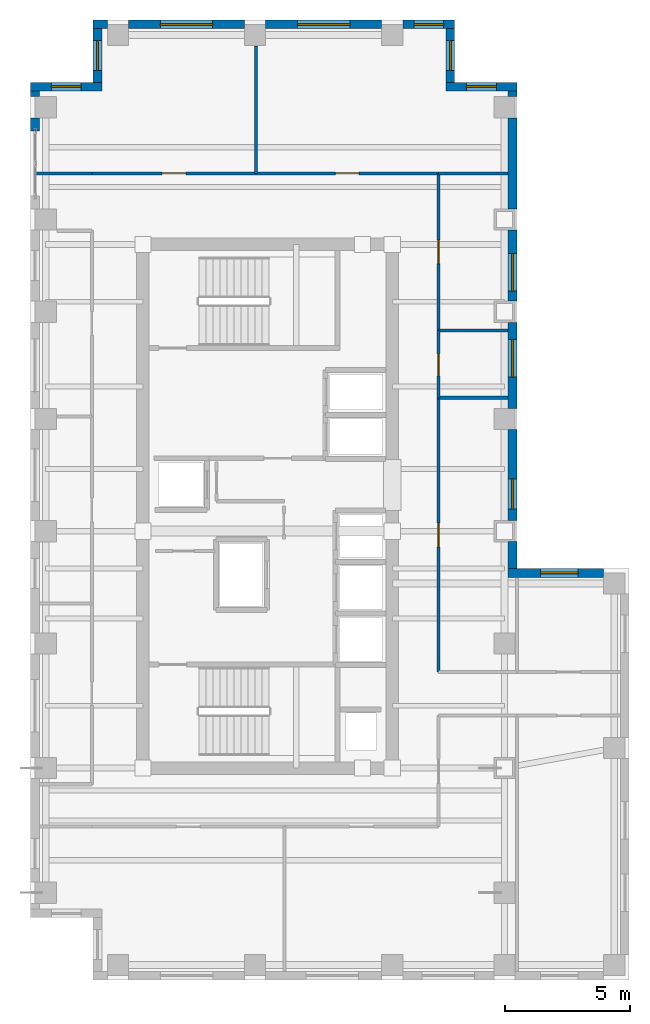
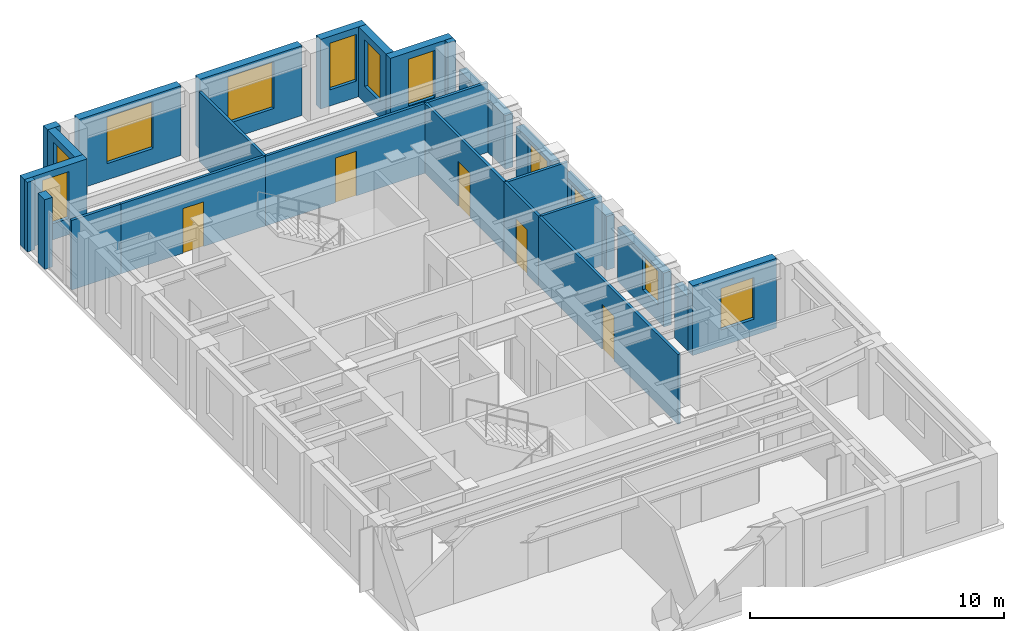
# One storey, part 8 of 10: 27 walls, 11 windows, 5 doors, 16 openings.
"""IFC4 building model written with IfcOpenShell, lengths in metres."""

from ifc_helpers import new_model, si_unit, direction, frame, frame_2d, origin, place, context, subcontext, project, spatial, rectangle, extrude, source, transform, mapped, material, layer, layer_set, type_object, element, fill, save


model = new_model("IFC4")

# Units and contexts
model_context = context("Model", 3, precision=1e-05, world=origin(), true_north=direction((0.0, 1.0)))
body_context = subcontext(model_context, "Body", "Model", "MODEL_VIEW")
ifc_project = project(units=[si_unit("LENGTHUNIT", "METRE"), si_unit("AREAUNIT", "SQUARE_METRE"), si_unit("VOLUMEUNIT", "CUBIC_METRE"), si_unit("PLANEANGLEUNIT", "RADIAN"), si_unit("MASSUNIT", "GRAM", prefix="KILO")], contexts=[model_context])

# Site, building, storey
site_placement = place(None, origin())
site = spatial("IfcSite", under=ifc_project, at=site_placement, CompositionType="ELEMENT")
building_placement = place(site_placement, origin())
building = spatial("IfcBuilding", under=site, at=building_placement, Name="Kharzan Plaza Tower", CompositionType="ELEMENT")
storey_placement = place(building_placement, frame((0.0, 0.0, 273.60009765625)))
storey = spatial("IfcBuildingStorey", under=building, at=storey_placement, Name="L74", CompositionType="ELEMENT", Elevation=273.60009765625)

# Wall, opening, window
ifc_material_1 = material(Name="Concrete C40/50", Category="concrete")
ifc_layer_1 = layer(ifc_material_1, 0.35009765625)
ifc_layer_set_1 = layer_set([ifc_layer_1], Name="Concrete C40/50")
wall_type_1 = type_object("IfcWallType", Name="WL-EXT-MAS-Z4", PredefinedType="SOLIDWALL", material=ifc_layer_set_1)
wall_1_placement = place(storey_placement, frame((16.824951171875, 35.998046875, 0.0), z_axis=(0.0, 0.0, 1.0), x_axis=(0.0, 1.0, 0.0)))
wall_1 = element("IfcWall", 1, at=wall_1_placement, inside=storey, type_object=wall_type_1, Name="L74 Masonry-Frame Exterior Wall 01", PredefinedType="SOLIDWALL", context=body_context, shape_type="SweptSolid", body=[
    extrude(rectangle(XDim=2.154052734375, YDim=0.35009765625, at=frame_2d((1.0771484375, 0.0))), origin(), (0.0, 0.0, 1.0), 3.35498046875),
])
opening_1_placement = place(wall_1_placement, frame((0.47705078125, 0.0, 0.780029296875)))
opening_1 = element("IfcOpeningElement", 2, at=opening_1_placement, cuts=wall_1, Name="Opening W3", PredefinedType="OPENING", context=body_context, shape_type="SweptSolid", body=[
    extrude(rectangle(XDim=1.199951171875, YDim=2.25, at=frame_2d((0.60009765625, 1.125))), frame((0.0, 0.18505859375, 0.0), z_axis=(0.0, -1.0, 0.0), x_axis=(1.0, 0.0, 0.0)), (0.0, 0.0, 1.0), 0.3701171875),
])
ifc_material_2 = material(Name="Low-E Double Glazing", Category="glass")
window_type_1 = type_object("IfcWindowType", Name="WN-REC-1200x2100", PartitioningType="SINGLE_PANEL", PredefinedType="WINDOW", material=ifc_material_2)
shared_shape_1 = source(origin(), body_context, "Body", "SweptSolid", [
    extrude(rectangle(XDim=1.199951171875, YDim=2.25, at=frame_2d((0.60009765625, 1.125))), frame((0.0, 0.030029296875, 0.0), z_axis=(0.0, -1.0, 0.0), x_axis=(1.0, 0.0, 0.0)), (0.0, 0.0, 1.0), 0.06005859375),
])
window_1_placement = place(opening_1_placement, origin())
window_1 = element("IfcWindow", 3, at=window_1_placement, inside=storey, type_object=window_type_1, Name="L74 Recessed Solar-Control Window 01-1", OverallHeight=2.25, OverallWidth=1.199951171875, PartitioningType="SINGLE_PANEL", PredefinedType="WINDOW", context=body_context, shape_type="MappedRepresentation", body=[
    mapped(shared_shape_1, transform((0.0, 0.0, 0.0), x_axis=(1.0, 0.0, 0.0), y_axis=(0.0, 1.0, 0.0), z_axis=(0.0, 0.0, 1.0))),
])
fill(opening_1, window_1)

wall_2_placement = place(storey_placement, frame((17.0, 38.324951171875, 0.0), z_axis=(0.0, 0.0, 1.0), x_axis=(-1.0, 0.0, 0.0)))
wall_2 = element("IfcWall", 4, at=wall_2_placement, inside=storey, type_object=wall_type_1, Name="L74 Masonry-Frame Exterior Wall 02", PredefinedType="SOLIDWALL", context=body_context, shape_type="SweptSolid", body=[
    extrude(rectangle(XDim=2.076904296875, YDim=0.35009765625, at=frame_2d((1.03857421875, 0.0))), origin(), (0.0, 0.0, 1.0), 3.35498046875),
])
opening_2_placement = place(wall_2_placement, frame((0.4384765625, 0.0, 0.780029296875)))
opening_2 = element("IfcOpeningElement", 5, at=opening_2_placement, cuts=wall_2, Name="Opening W3", PredefinedType="OPENING", context=body_context, shape_type="SweptSolid", body=[
    extrude(rectangle(XDim=1.199951171875, YDim=2.25, at=frame_2d((0.60009765625, 1.125))), frame((0.0, 0.18505859375, 0.0), z_axis=(0.0, -1.0, 0.0), x_axis=(1.0, 0.0, 0.0)), (0.0, 0.0, 1.0), 0.3701171875),
])
window_2_placement = place(opening_2_placement, origin())
window_2 = element("IfcWindow", 6, at=window_2_placement, inside=storey, type_object=window_type_1, Name="L74 Recessed Solar-Control Window 02-1", OverallHeight=2.25, OverallWidth=1.199951171875, PartitioningType="SINGLE_PANEL", PredefinedType="WINDOW", context=body_context, shape_type="MappedRepresentation", body=[
    mapped(shared_shape_1, transform((0.0, 0.0, 0.0), x_axis=(1.0, 0.0, 0.0), y_axis=(0.0, 1.0, 0.0), z_axis=(0.0, 0.0, 1.0))),
])
fill(opening_2, window_2)

wall_3_placement = place(storey_placement, frame((14.076904296875, 38.324951171875, 0.0), z_axis=(0.0, 0.0, 1.0), x_axis=(-1.0, 0.0, 0.0)))
wall_3 = element("IfcWall", 7, at=wall_3_placement, inside=storey, type_object=wall_type_1, Name="L74 Masonry-Frame Exterior Wall 03", PredefinedType="SOLIDWALL", context=body_context, shape_type="SweptSolid", body=[
    extrude(rectangle(XDim=4.65380859375, YDim=0.35009765625, at=frame_2d((2.326904296875, 0.0))), origin(), (0.0, 0.0, 1.0), 3.35498046875),
])
opening_3_placement = place(wall_3_placement, frame((1.277099609375, 0.0, 0.780029296875)))
opening_3 = element("IfcOpeningElement", 8, at=opening_3_placement, cuts=wall_3, Name="Opening W6", PredefinedType="OPENING", context=body_context, shape_type="SweptSolid", body=[
    extrude(rectangle(XDim=2.10009765625, YDim=2.25, at=frame_2d((1.050048828125, 1.125))), frame((0.0, 0.18505859375, 0.0), z_axis=(0.0, -1.0, 0.0), x_axis=(1.0, 0.0, 0.0)), (0.0, 0.0, 1.0), 0.3701171875),
])
window_type_2 = type_object("IfcWindowType", Name="WN-EXEC-2100x2250", PartitioningType="SINGLE_PANEL", PredefinedType="WINDOW", material=ifc_material_2)
shared_shape_2 = source(origin(), body_context, "Body", "SweptSolid", [
    extrude(rectangle(XDim=2.10009765625, YDim=2.25, at=frame_2d((1.050048828125, 1.125))), frame((0.0, 0.030029296875, 0.0), z_axis=(0.0, -1.0, 0.0), x_axis=(1.0, 0.0, 0.0)), (0.0, 0.0, 1.0), 0.06005859375),
])
window_3_placement = place(opening_3_placement, origin())
window_3 = element("IfcWindow", 9, at=window_3_placement, inside=storey, type_object=window_type_2, Name="L74 Recessed Solar-Control Window 03-1", OverallHeight=2.25, OverallWidth=2.10009765625, PartitioningType="SINGLE_PANEL", PredefinedType="WINDOW", context=body_context, shape_type="MappedRepresentation", body=[
    mapped(shared_shape_2, transform((0.0, 0.0, 0.0), x_axis=(1.0, 0.0, 0.0), y_axis=(0.0, 1.0, 0.0), z_axis=(0.0, 0.0, 1.0))),
])
fill(opening_3, window_3)

wall_4_placement = place(storey_placement, frame((8.576904296875, 38.324951171875, 0.0), z_axis=(0.0, 0.0, 1.0), x_axis=(-1.0, 0.0, 0.0)))
wall_4 = element("IfcWall", 10, at=wall_4_placement, inside=storey, type_object=wall_type_1, Name="L74 Masonry-Frame Exterior Wall 04", PredefinedType="SOLIDWALL", context=body_context, shape_type="SweptSolid", body=[
    extrude(rectangle(XDim=4.65380859375, YDim=0.35009765625, at=frame_2d((2.326904296875, 0.0))), origin(), (0.0, 0.0, 1.0), 3.35498046875),
])
opening_4_placement = place(wall_4_placement, frame((1.277099609375, 0.0, 0.780029296875)))
opening_4 = element("IfcOpeningElement", 11, at=opening_4_placement, cuts=wall_4, Name="Opening W6", PredefinedType="OPENING", context=body_context, shape_type="SweptSolid", body=[
    extrude(rectangle(XDim=2.10009765625, YDim=2.25, at=frame_2d((1.050048828125, 1.125))), frame((0.0, 0.18505859375, 0.0), z_axis=(0.0, -1.0, 0.0), x_axis=(1.0, 0.0, 0.0)), (0.0, 0.0, 1.0), 0.3701171875),
])
window_4_placement = place(opening_4_placement, origin())
window_4 = element("IfcWindow", 12, at=window_4_placement, inside=storey, type_object=window_type_2, Name="L74 Recessed Solar-Control Window 04-1", OverallHeight=2.25, OverallWidth=2.10009765625, PartitioningType="SINGLE_PANEL", PredefinedType="WINDOW", context=body_context, shape_type="MappedRepresentation", body=[
    mapped(shared_shape_2, transform((0.0, 0.0, 0.0), x_axis=(1.0, 0.0, 0.0), y_axis=(0.0, 1.0, 0.0), z_axis=(0.0, 0.0, 1.0))),
])
fill(opening_4, window_4)

wall_5_placement = place(storey_placement, frame((2.675048828125, 38.152099609375, 0.0), z_axis=(0.0, 0.0, 1.0), x_axis=(0.0, -1.0, 0.0)))
wall_5 = element("IfcWall", 13, at=wall_5_placement, inside=storey, type_object=wall_type_1, Name="L74 Masonry-Frame Exterior Wall 06", PredefinedType="SOLIDWALL", context=body_context, shape_type="SweptSolid", body=[
    extrude(rectangle(XDim=2.154052734375, YDim=0.35009765625, at=frame_2d((1.0771484375, 0.0))), origin(), (0.0, 0.0, 1.0), 3.35498046875),
])
opening_5_placement = place(wall_5_placement, frame((0.47705078125, 0.0, 0.780029296875)))
opening_5 = element("IfcOpeningElement", 14, at=opening_5_placement, cuts=wall_5, Name="Opening W3", PredefinedType="OPENING", context=body_context, shape_type="SweptSolid", body=[
    extrude(rectangle(XDim=1.199951171875, YDim=2.25, at=frame_2d((0.60009765625, 1.125))), frame((0.0, 0.18505859375, 0.0), z_axis=(0.0, -1.0, 0.0), x_axis=(1.0, 0.0, 0.0)), (0.0, 0.0, 1.0), 0.3701171875),
])
window_5_placement = place(opening_5_placement, origin())
window_5 = element("IfcWindow", 15, at=window_5_placement, inside=storey, type_object=window_type_1, Name="L74 Recessed Solar-Control Window 06-1", OverallHeight=2.25, OverallWidth=1.199951171875, PartitioningType="SINGLE_PANEL", PredefinedType="WINDOW", context=body_context, shape_type="MappedRepresentation", body=[
    mapped(shared_shape_1, transform((0.0, 0.0, 0.0), x_axis=(1.0, 0.0, 0.0), y_axis=(0.0, 1.0, 0.0), z_axis=(0.0, 0.0, 1.0))),
])
fill(opening_5, window_5)

wall_6_placement = place(storey_placement, frame((2.85009765625, 35.824951171875, 0.0), z_axis=(0.0, 0.0, 1.0), x_axis=(-1.0, 0.0, 0.0)))
wall_6 = element("IfcWall", 16, at=wall_6_placement, inside=storey, type_object=wall_type_1, Name="L74 Masonry-Frame Exterior Wall 07", PredefinedType="SOLIDWALL", context=body_context, shape_type="SweptSolid", body=[
    extrude(rectangle(XDim=2.85009765625, YDim=0.35009765625, at=frame_2d((1.425048828125, 0.0))), origin(), (0.0, 0.0, 1.0), 3.35498046875),
])
opening_6_placement = place(wall_6_placement, frame((0.824951171875, 0.0, 0.780029296875)))
opening_6 = element("IfcOpeningElement", 17, at=opening_6_placement, cuts=wall_6, Name="Opening W3", PredefinedType="OPENING", context=body_context, shape_type="SweptSolid", body=[
    extrude(rectangle(XDim=1.199951171875, YDim=2.25, at=frame_2d((0.60009765625, 1.125))), frame((0.0, 0.18505859375, 0.0), z_axis=(0.0, -1.0, 0.0), x_axis=(1.0, 0.0, 0.0)), (0.0, 0.0, 1.0), 0.3701171875),
])
window_6_placement = place(opening_6_placement, origin())
window_6 = element("IfcWindow", 18, at=window_6_placement, inside=storey, type_object=window_type_1, Name="L74 Recessed Solar-Control Window 07-1", OverallHeight=2.25, OverallWidth=1.199951171875, PartitioningType="SINGLE_PANEL", PredefinedType="WINDOW", context=body_context, shape_type="MappedRepresentation", body=[
    mapped(shared_shape_1, transform((0.0, 0.0, 0.0), x_axis=(1.0, 0.0, 0.0), y_axis=(0.0, 1.0, 0.0), z_axis=(0.0, 0.0, 1.0))),
])
fill(opening_6, window_6)

wall_7_placement = place(storey_placement, frame((22.97705078125, 16.324951171875, 0.0), z_axis=(0.0, 0.0, 1.0), x_axis=(-1.0, 0.0, 0.0)))
wall_7 = element("IfcWall", 19, at=wall_7_placement, inside=storey, type_object=wall_type_1, Name="L74 Masonry-Frame Exterior Wall 27", PredefinedType="SOLIDWALL", context=body_context, shape_type="SweptSolid", body=[
    extrude(rectangle(XDim=3.8271484375, YDim=0.35009765625, at=frame_2d((1.91357421875, 0.0))), origin(), (0.0, 0.0, 1.0), 3.35498046875),
])
opening_7_placement = place(wall_7_placement, frame((1.0234375, 0.0, 0.780029296875)))
opening_7 = element("IfcOpeningElement", 20, at=opening_7_placement, cuts=wall_7, Name="Opening W5", PredefinedType="OPENING", context=body_context, shape_type="SweptSolid", body=[
    extrude(rectangle(XDim=1.5, YDim=2.0, at=frame_2d((0.75, 1.0))), frame((0.0, 0.18505859375, 0.0), z_axis=(0.0, -1.0, 0.0), x_axis=(1.0, 0.0, 0.0)), (0.0, 0.0, 1.0), 0.3701171875),
])
window_type_3 = type_object("IfcWindowType", Name="WN-SLT-1500x2000", PartitioningType="SINGLE_PANEL", PredefinedType="WINDOW", material=ifc_material_2)
shared_shape_3 = source(origin(), body_context, "Body", "SweptSolid", [
    extrude(rectangle(XDim=1.5, YDim=2.0, at=frame_2d((0.75, 1.0))), frame((0.0, 0.030029296875, 0.0), z_axis=(0.0, -1.0, 0.0), x_axis=(1.0, 0.0, 0.0)), (0.0, 0.0, 1.0), 0.06005859375),
])
window_7_placement = place(opening_7_placement, origin())
window_7 = element("IfcWindow", 21, at=window_7_placement, inside=storey, type_object=window_type_3, Name="L74 Recessed Solar-Control Window 27-1", OverallHeight=2.0, OverallWidth=1.5, PartitioningType="SINGLE_PANEL", PredefinedType="WINDOW", context=body_context, shape_type="MappedRepresentation", body=[
    mapped(shared_shape_3, transform((0.0, 0.0, 0.0), x_axis=(1.0, 0.0, 0.0), y_axis=(0.0, 1.0, 0.0), z_axis=(0.0, 0.0, 1.0))),
])
fill(opening_7, window_7)

wall_8_placement = place(storey_placement, frame((19.324951171875, 18.423095703125, 0.0), z_axis=(0.0, 0.0, 1.0), x_axis=(0.0, 1.0, 0.0)))
wall_8 = element("IfcWall", 22, at=wall_8_placement, inside=storey, type_object=wall_type_1, Name="L74 Masonry-Frame Exterior Wall 29", PredefinedType="SOLIDWALL", context=body_context, shape_type="SweptSolid", body=[
    extrude(rectangle(XDim=3.65380859375, YDim=0.35009765625, at=frame_2d((1.826904296875, 0.0))), origin(), (0.0, 0.0, 1.0), 2.5888671875),
])
opening_8_placement = place(wall_8_placement, frame((0.469970703125, 0.0, 0.780029296875)))
opening_8 = element("IfcOpeningElement", 23, at=opening_8_placement, cuts=wall_8, Name="Opening W3", PredefinedType="OPENING", context=body_context, shape_type="SweptSolid", body=[
    extrude(rectangle(XDim=1.199951171875, YDim=1.62890625, at=frame_2d((0.60009765625, 0.814453125))), frame((0.0, 0.18505859375, 0.0), z_axis=(0.0, -1.0, 0.0), x_axis=(1.0, 0.0, 0.0)), (0.0, 0.0, 1.0), 0.3701171875),
])
shared_shape_4 = source(origin(), body_context, "Body", "SweptSolid", [
    extrude(rectangle(XDim=1.199951171875, YDim=1.62890625, at=frame_2d((0.60009765625, 0.814453125))), frame((0.0, 0.030029296875, 0.0), z_axis=(0.0, -1.0, 0.0), x_axis=(1.0, 0.0, 0.0)), (0.0, 0.0, 1.0), 0.06005859375),
])
window_8_placement = place(opening_8_placement, origin())
window_8 = element("IfcWindow", 24, at=window_8_placement, inside=storey, type_object=window_type_1, Name="L74 Recessed Solar-Control Window 29-1", OverallHeight=1.62890625, OverallWidth=1.199951171875, PartitioningType="SINGLE_PANEL", PredefinedType="WINDOW", context=body_context, shape_type="MappedRepresentation", body=[
    mapped(shared_shape_4, transform((0.0, 0.0, 0.0), x_axis=(1.0, 0.0, 0.0), y_axis=(0.0, 1.0, 0.0), z_axis=(0.0, 0.0, 1.0))),
])
fill(opening_8, window_8)

wall_9_placement = place(storey_placement, frame((19.324951171875, 22.923095703125, 0.0), z_axis=(0.0, 0.0, 1.0), x_axis=(0.0, 1.0, 0.0)))
wall_9 = element("IfcWall", 25, at=wall_9_placement, inside=storey, type_object=wall_type_1, Name="L74 Masonry-Frame Exterior Wall 30", PredefinedType="SOLIDWALL", context=body_context, shape_type="SweptSolid", body=[
    extrude(rectangle(XDim=3.453857421875, YDim=0.35009765625, at=frame_2d((1.72705078125, 0.0))), origin(), (0.0, 0.0, 1.0), 2.5888671875),
])
opening_9_placement = place(wall_9_placement, frame((1.255615234375, 0.0, 0.780029296875)))
opening_9 = element("IfcOpeningElement", 26, at=opening_9_placement, cuts=wall_9, Name="Opening W5", PredefinedType="OPENING", context=body_context, shape_type="SweptSolid", body=[
    extrude(rectangle(XDim=1.5, YDim=1.62890625, at=frame_2d((0.75, 0.814453125))), frame((0.0, 0.18505859375, 0.0), z_axis=(0.0, -1.0, 0.0), x_axis=(1.0, 0.0, 0.0)), (0.0, 0.0, 1.0), 0.3701171875),
])
shared_shape_5 = source(origin(), body_context, "Body", "SweptSolid", [
    extrude(rectangle(XDim=1.5, YDim=1.62890625, at=frame_2d((0.75, 0.814453125))), frame((0.0, 0.030029296875, 0.0), z_axis=(0.0, -1.0, 0.0), x_axis=(1.0, 0.0, 0.0)), (0.0, 0.0, 1.0), 0.06005859375),
])
window_9_placement = place(opening_9_placement, origin())
window_9 = element("IfcWindow", 27, at=window_9_placement, inside=storey, type_object=window_type_3, Name="L74 Recessed Solar-Control Window 30-1", OverallHeight=1.62890625, OverallWidth=1.5, PartitioningType="SINGLE_PANEL", PredefinedType="WINDOW", context=body_context, shape_type="MappedRepresentation", body=[
    mapped(shared_shape_5, transform((0.0, 0.0, 0.0), x_axis=(1.0, 0.0, 0.0), y_axis=(0.0, 1.0, 0.0), z_axis=(0.0, 0.0, 1.0))),
])
fill(opening_9, window_9)

wall_10_placement = place(storey_placement, frame((19.324951171875, 27.222900390625, 0.0), z_axis=(0.0, 0.0, 1.0), x_axis=(0.0, 1.0, 0.0)))
wall_10 = element("IfcWall", 28, at=wall_10_placement, inside=storey, type_object=wall_type_1, Name="L74 Masonry-Frame Exterior Wall 31", PredefinedType="SOLIDWALL", context=body_context, shape_type="SweptSolid", body=[
    extrude(rectangle(XDim=2.85400390625, YDim=0.35009765625, at=frame_2d((1.427001953125, 0.0))), origin(), (0.0, 0.0, 1.0), 2.5888671875),
])
opening_10_placement = place(wall_10_placement, frame((0.411376953125, 0.0, 0.780029296875)))
opening_10 = element("IfcOpeningElement", 29, at=opening_10_placement, cuts=wall_10, Name="Opening W5", PredefinedType="OPENING", context=body_context, shape_type="SweptSolid", body=[
    extrude(rectangle(XDim=1.5, YDim=1.62890625, at=frame_2d((0.75, 0.814453125))), frame((0.0, 0.18505859375, 0.0), z_axis=(0.0, -1.0, 0.0), x_axis=(1.0, 0.0, 0.0)), (0.0, 0.0, 1.0), 0.3701171875),
])
window_10_placement = place(opening_10_placement, origin())
window_10 = element("IfcWindow", 30, at=window_10_placement, inside=storey, type_object=window_type_3, Name="L74 Recessed Solar-Control Window 31-1", OverallHeight=1.62890625, OverallWidth=1.5, PartitioningType="SINGLE_PANEL", PredefinedType="WINDOW", context=body_context, shape_type="MappedRepresentation", body=[
    mapped(shared_shape_5, transform((0.0, 0.0, 0.0), x_axis=(1.0, 0.0, 0.0), y_axis=(0.0, 1.0, 0.0), z_axis=(0.0, 0.0, 1.0))),
])
fill(opening_10, window_10)

wall_11_placement = place(storey_placement, frame((19.5, 35.824951171875, 0.0), z_axis=(0.0, 0.0, 1.0), x_axis=(-1.0, 0.0, 0.0)))
wall_11 = element("IfcWall", 31, at=wall_11_placement, inside=storey, type_object=wall_type_1, Name="L74 Masonry-Frame Exterior Wall 34", PredefinedType="SOLIDWALL", context=body_context, shape_type="SweptSolid", body=[
    extrude(rectangle(XDim=2.85009765625, YDim=0.35009765625, at=frame_2d((1.425048828125, 0.0))), origin(), (0.0, 0.0, 1.0), 3.35498046875),
])
opening_11_placement = place(wall_11_placement, frame((0.824951171875, 0.0, 0.780029296875)))
opening_11 = element("IfcOpeningElement", 32, at=opening_11_placement, cuts=wall_11, Name="Opening W3", PredefinedType="OPENING", context=body_context, shape_type="SweptSolid", body=[
    extrude(rectangle(XDim=1.199951171875, YDim=2.25, at=frame_2d((0.60009765625, 1.125))), frame((0.0, 0.18505859375, 0.0), z_axis=(0.0, -1.0, 0.0), x_axis=(1.0, 0.0, 0.0)), (0.0, 0.0, 1.0), 0.3701171875),
])
window_11_placement = place(opening_11_placement, origin())
window_11 = element("IfcWindow", 33, at=window_11_placement, inside=storey, type_object=window_type_1, Name="L74 Recessed Solar-Control Window 34-1", OverallHeight=2.25, OverallWidth=1.199951171875, PartitioningType="SINGLE_PANEL", PredefinedType="WINDOW", context=body_context, shape_type="MappedRepresentation", body=[
    mapped(shared_shape_1, transform((0.0, 0.0, 0.0), x_axis=(1.0, 0.0, 0.0), y_axis=(0.0, 1.0, 0.0), z_axis=(0.0, 0.0, 1.0))),
])
fill(opening_11, window_11)

# Wall, opening, door
ifc_material_3 = material(Name="Fire-Rated Gypsum Board Partition", Category="gypsum")
ifc_layer_2 = layer(ifc_material_3, 0.125)
ifc_layer_set_2 = layer_set([ifc_layer_2], Name="Fire-Rated Gypsum Board Partition")
wall_type_2 = type_object("IfcWallType", Name="WL-INT-PART-125", PredefinedType="PARTITIONING", material=ifc_layer_set_2)
wall_12_placement = place(storey_placement, frame((16.35009765625, 12.35009765625, 0.0), z_axis=(0.0, 0.0, 1.0), x_axis=(0.0, 1.0, 0.0)))
wall_12 = element("IfcWall", 34, at=wall_12_placement, inside=storey, type_object=wall_type_2, Name="L74 Interior Partition SH-AEW2", PredefinedType="PARTITIONING", context=body_context, shape_type="SweptSolid", body=[
    extrude(rectangle(XDim=11.0, YDim=0.125, at=frame_2d((5.5, 0.0))), origin(), (0.0, 0.0, 1.0), 3.35498046875),
])
opening_12_placement = place(wall_12_placement, frame((5.02490234375, 0.0, 0.0)))
opening_12 = element("IfcOpeningElement", 35, at=opening_12_placement, cuts=wall_12, Name="Opening OD1", PredefinedType="OPENING", context=body_context, shape_type="SweptSolid", body=[
    extrude(rectangle(XDim=0.949951171875, YDim=2.14990234375, at=frame_2d((0.47509765625, 1.074951171875))), frame((0.0, 0.072509765625, 0.0), z_axis=(0.0, -1.0, 0.0), x_axis=(1.0, 0.0, 0.0)), (0.0, 0.0, 1.0), 0.14501953125),
])
ifc_material_4 = material(Name="Acoustic Solid-Core Stained Oak", Category="timber")
door_type_1 = type_object("IfcDoorType", Name="DR-OFF-SINGLE", OperationType="NOTDEFINED", PredefinedType="DOOR", material=ifc_material_4)
shared_shape_6 = source(origin(), body_context, "Body", "SweptSolid", [
    extrude(rectangle(XDim=0.949951171875, YDim=2.14990234375, at=frame_2d((0.47509765625, 1.074951171875))), frame((0.0, 0.02490234375, 0.0), z_axis=(0.0, -1.0, 0.0), x_axis=(1.0, 0.0, 0.0)), (0.0, 0.0, 1.0), 0.050048828125),
])
door_1_placement = place(opening_12_placement, origin())
door_1 = element("IfcDoor", 36, at=door_1_placement, inside=storey, type_object=door_type_1, Name="L74 Briefing Room Door", OperationType="SINGLE_SWING_LEFT", OverallHeight=2.14990234375, OverallWidth=0.949951171875, PredefinedType="DOOR", context=body_context, shape_type="MappedRepresentation", body=[
    mapped(shared_shape_6, transform((0.0, 0.0, 0.0), x_axis=(1.0, 0.0, 0.0), y_axis=(0.0, 1.0, 0.0), z_axis=(0.0, 0.0, 1.0))),
])
fill(opening_12, door_1)

wall_13_placement = place(storey_placement, frame((16.35009765625, 26.050048828125, 0.0), z_axis=(0.0, 0.0, 1.0), x_axis=(0.0, 1.0, 0.0)))
wall_13 = element("IfcWall", 37, at=wall_13_placement, inside=storey, type_object=wall_type_2, Name="L74 Interior Partition SH-AEW3", PredefinedType="PARTITIONING", context=body_context, shape_type="SweptSolid", body=[
    extrude(rectangle(XDim=6.300048828125, YDim=0.125, at=frame_2d((3.14990234375, 0.0))), origin(), (0.0, 0.0, 1.0), 3.35498046875),
])
opening_13_placement = place(wall_13_placement, frame((2.675048828125, 0.0, 0.0)))
opening_13 = element("IfcOpeningElement", 38, at=opening_13_placement, cuts=wall_13, Name="Opening OD1", PredefinedType="OPENING", context=body_context, shape_type="SweptSolid", body=[
    extrude(rectangle(XDim=0.949951171875, YDim=2.14990234375, at=frame_2d((0.47509765625, 1.074951171875))), frame((0.0, 0.072509765625, 0.0), z_axis=(0.0, -1.0, 0.0), x_axis=(1.0, 0.0, 0.0)), (0.0, 0.0, 1.0), 0.14501953125),
])
door_2_placement = place(opening_13_placement, origin())
door_2 = element("IfcDoor", 39, at=door_2_placement, inside=storey, type_object=door_type_1, Name="L74 Tea Pantry Door", OperationType="SINGLE_SWING_LEFT", OverallHeight=2.14990234375, OverallWidth=0.949951171875, PredefinedType="DOOR", context=body_context, shape_type="MappedRepresentation", body=[
    mapped(shared_shape_6, transform((0.0, 0.0, 0.0), x_axis=(1.0, 0.0, 0.0), y_axis=(0.0, 1.0, 0.0), z_axis=(0.0, 0.0, 1.0))),
])
fill(opening_13, door_2)

wall_14_placement = place(storey_placement, frame((16.35009765625, 23.35009765625, 0.0), z_axis=(0.0, 0.0, 1.0), x_axis=(0.0, 1.0, 0.0)))
wall_14 = element("IfcWall", 40, at=wall_14_placement, inside=storey, type_object=wall_type_2, Name="L74 Interior Partition SH-AEWW", PredefinedType="PARTITIONING", context=body_context, shape_type="SweptSolid", body=[
    extrude(rectangle(XDim=2.699951171875, YDim=0.125, at=frame_2d((1.35009765625, 0.0))), origin(), (0.0, 0.0, 1.0), 3.35498046875),
])
opening_14_placement = place(wall_14_placement, frame((0.875, 0.0, 0.0)))
opening_14 = element("IfcOpeningElement", 41, at=opening_14_placement, cuts=wall_14, Name="Opening WD1", PredefinedType="OPENING", context=body_context, shape_type="SweptSolid", body=[
    extrude(rectangle(XDim=0.89990234375, YDim=2.14990234375, at=frame_2d((0.449951171875, 1.074951171875))), frame((0.0, 0.072509765625, 0.0), z_axis=(0.0, -1.0, 0.0), x_axis=(1.0, 0.0, 0.0)), (0.0, 0.0, 1.0), 0.14501953125),
])
ifc_material_5 = material(Name="Moisture-Resistant Fire-Rated Laminate", Category="timber")
door_type_2 = type_object("IfcDoorType", Name="DR-WC-900", OperationType="NOTDEFINED", PredefinedType="DOOR", material=ifc_material_5)
shared_shape_7 = source(origin(), body_context, "Body", "SweptSolid", [
    extrude(rectangle(XDim=0.89990234375, YDim=2.14990234375, at=frame_2d((0.449951171875, 1.074951171875))), frame((0.0, 0.02490234375, 0.0), z_axis=(0.0, -1.0, 0.0), x_axis=(1.0, 0.0, 0.0)), (0.0, 0.0, 1.0), 0.050048828125),
])
door_3_placement = place(opening_14_placement, origin())
door_3 = element("IfcDoor", 42, at=door_3_placement, inside=storey, type_object=door_type_2, Name="L74 Washroom Door", OperationType="SINGLE_SWING_RIGHT", OverallHeight=2.14990234375, OverallWidth=0.89990234375, PredefinedType="DOOR", context=body_context, shape_type="MappedRepresentation", body=[
    mapped(shared_shape_7, transform((0.0, 0.0, 0.0), x_axis=(1.0, 0.0, 0.0), y_axis=(0.0, 1.0, 0.0), z_axis=(0.0, 0.0, 1.0))),
])
fill(opening_14, door_3)

wall_15_placement = place(storey_placement, frame((2.449951171875, 32.35009765625, 0.0), z_axis=(0.0, 0.0, 1.0), x_axis=(1.0, 0.0, 0.0)))
wall_15 = element("IfcWall", 43, at=wall_15_placement, inside=storey, type_object=wall_type_2, Name="L74 Interior Partition SH-NN-1", PredefinedType="PARTITIONING", context=body_context, shape_type="SweptSolid", body=[
    extrude(rectangle(XDim=6.589111328125, YDim=0.125, at=frame_2d((3.29443359375, 0.0))), origin(), (0.0, 0.0, 1.0), 3.35498046875),
])
opening_15_placement = place(wall_15_placement, frame((2.819580078125, 0.0, 0.0)))
opening_15 = element("IfcOpeningElement", 44, at=opening_15_placement, cuts=wall_15, Name="Opening OD1", PredefinedType="OPENING", context=body_context, shape_type="SweptSolid", body=[
    extrude(rectangle(XDim=0.949951171875, YDim=2.14990234375, at=frame_2d((0.47509765625, 1.074951171875))), frame((0.0, 0.072509765625, 0.0), z_axis=(0.0, -1.0, 0.0), x_axis=(1.0, 0.0, 0.0)), (0.0, 0.0, 1.0), 0.14501953125),
])
door_4_placement = place(opening_15_placement, origin())
door_4 = element("IfcDoor", 45, at=door_4_placement, inside=storey, type_object=door_type_1, Name="L74 Maritime Simulation Studio Door", OperationType="SINGLE_SWING_RIGHT", OverallHeight=2.14990234375, OverallWidth=0.949951171875, PredefinedType="DOOR", context=body_context, shape_type="MappedRepresentation", body=[
    mapped(shared_shape_6, transform((0.0, 0.0, 0.0), x_axis=(1.0, 0.0, 0.0), y_axis=(0.0, 1.0, 0.0), z_axis=(0.0, 0.0, 1.0))),
])
fill(opening_15, door_4)

wall_16_placement = place(storey_placement, frame((9.0390625, 32.35009765625, 0.0), z_axis=(0.0, 0.0, 1.0), x_axis=(1.0, 0.0, 0.0)))
wall_16 = element("IfcWall", 46, at=wall_16_placement, inside=storey, type_object=wall_type_2, Name="L74 Interior Partition SH-NN-2", PredefinedType="PARTITIONING", context=body_context, shape_type="SweptSolid", body=[
    extrude(rectangle(XDim=7.31103515625, YDim=0.125, at=frame_2d((3.655517578125, 0.0))), origin(), (0.0, 0.0, 1.0), 3.35498046875),
])
opening_16_placement = place(wall_16_placement, frame((3.180419921875, 0.0, 0.0)))
opening_16 = element("IfcOpeningElement", 47, at=opening_16_placement, cuts=wall_16, Name="Opening OD1", PredefinedType="OPENING", context=body_context, shape_type="SweptSolid", body=[
    extrude(rectangle(XDim=0.949951171875, YDim=2.14990234375, at=frame_2d((0.47509765625, 1.074951171875))), frame((0.0, 0.072509765625, 0.0), z_axis=(0.0, -1.0, 0.0), x_axis=(1.0, 0.0, 0.0)), (0.0, 0.0, 1.0), 0.14501953125),
])
door_5_placement = place(opening_16_placement, origin())
door_5 = element("IfcDoor", 48, at=door_5_placement, inside=storey, type_object=door_type_1, Name="L74 Maritime Simulation Studio Door", OperationType="SINGLE_SWING_LEFT", OverallHeight=2.14990234375, OverallWidth=0.949951171875, PredefinedType="DOOR", context=body_context, shape_type="MappedRepresentation", body=[
    mapped(shared_shape_6, transform((0.0, 0.0, 0.0), x_axis=(1.0, 0.0, 0.0), y_axis=(0.0, 1.0, 0.0), z_axis=(0.0, 0.0, 1.0))),
])
fill(opening_16, door_5)

# Walls
shared_shape_8 = source(origin(), body_context, "Body", "SweptSolid", [
    extrude(rectangle(XDim=0.576904296875, YDim=0.35009765625, at=frame_2d((0.28857421875, 0.0))), origin(), (0.0, 0.0, 1.0), 3.35498046875),
])
wall_17_placement = place(storey_placement, frame((3.076904296875, 38.324951171875, 0.0), z_axis=(0.0, 0.0, 1.0), x_axis=(-1.0, 0.0, 0.0)))
element("IfcWall", 49, at=wall_17_placement, inside=storey, type_object=wall_type_1, Name="L74 Masonry-Frame Exterior Wall 05", PredefinedType="SOLIDWALL", context=body_context, shape_type="MappedRepresentation", body=[
    mapped(shared_shape_8, transform((0.0, 0.0, 0.0), x_axis=(1.0, 0.0, 0.0), y_axis=(0.0, 1.0, 0.0), z_axis=(0.0, 0.0, 1.0))),
])
shared_shape_9 = source(origin(), body_context, "Body", "SweptSolid", [
    extrude(rectangle(XDim=0.22900390625, YDim=0.35009765625, at=frame_2d((0.114501953125, 0.0))), origin(), (0.0, 0.0, 1.0), 3.35498046875),
])
for number, where, z_axis, x_axis, name in (
    (50, (0.175048828125, 35.652099609375, 0.0), (0.0, 0.0, 1.0), (0.0, -1.0, 0.0), "L74 Masonry-Frame Exterior Wall 08"),
    (51, (19.324951171875, 35.423095703125, 0.0), (0.0, 0.0, 1.0), (0.0, 1.0, 0.0), "L74 Masonry-Frame Exterior Wall 33"),
):
    element("IfcWall", number, at=place(storey_placement, frame(where, z_axis=z_axis, x_axis=x_axis)), inside=storey, type_object=wall_type_1, Name=name, PredefinedType="SOLIDWALL", context=body_context, shape_type="MappedRepresentation", body=[
        mapped(shared_shape_9, transform((0.0, 0.0, 0.0), x_axis=(1.0, 0.0, 0.0), y_axis=(0.0, 1.0, 0.0), z_axis=(0.0, 0.0, 1.0))),
    ])
shared_shape_10 = source(origin(), body_context, "Body", "SweptSolid", [
    extrude(rectangle(XDim=0.52685546875, YDim=0.35009765625, at=frame_2d((0.263427734375, 0.0))), origin(), (0.0, 0.0, 1.0), 3.35498046875),
])
wall_18_placement = place(storey_placement, frame((0.175048828125, 34.576904296875, 0.0), z_axis=(0.0, 0.0, 1.0), x_axis=(0.0, -1.0, 0.0)))
element("IfcWall", 52, at=wall_18_placement, inside=storey, type_object=wall_type_1, Name="L74 Masonry-Frame Exterior Wall 09", PredefinedType="SOLIDWALL", context=body_context, shape_type="MappedRepresentation", body=[
    mapped(shared_shape_10, transform((0.0, 0.0, 0.0), x_axis=(1.0, 0.0, 0.0), y_axis=(0.0, 1.0, 0.0), z_axis=(0.0, 0.0, 1.0))),
])
shared_shape_11 = source(origin(), body_context, "Body", "SweptSolid", [
    extrude(rectangle(XDim=1.078857421875, YDim=0.35009765625, at=frame_2d((0.53955078125, 0.0))), origin(), (0.0, 0.0, 1.0), 2.5888671875),
])
wall_19_placement = place(storey_placement, frame((19.324951171875, 16.498046875, 0.0), z_axis=(0.0, 0.0, 1.0), x_axis=(0.0, 1.0, 0.0)))
element("IfcWall", 53, at=wall_19_placement, inside=storey, type_object=wall_type_1, Name="L74 Masonry-Frame Exterior Wall 28", PredefinedType="SOLIDWALL", context=body_context, shape_type="MappedRepresentation", body=[
    mapped(shared_shape_11, transform((0.0, 0.0, 0.0), x_axis=(1.0, 0.0, 0.0), y_axis=(0.0, 1.0, 0.0), z_axis=(0.0, 0.0, 1.0))),
])
shared_shape_12 = source(origin(), body_context, "Body", "SweptSolid", [
    extrude(rectangle(XDim=3.65380859375, YDim=0.35009765625, at=frame_2d((1.826904296875, 0.0))), origin(), (0.0, 0.0, 1.0), 2.5888671875),
])
wall_20_placement = place(storey_placement, frame((19.324951171875, 30.923095703125, 0.0), z_axis=(0.0, 0.0, 1.0), x_axis=(0.0, 1.0, 0.0)))
element("IfcWall", 54, at=wall_20_placement, inside=storey, type_object=wall_type_1, Name="L74 Masonry-Frame Exterior Wall 32", PredefinedType="SOLIDWALL", context=body_context, shape_type="MappedRepresentation", body=[
    mapped(shared_shape_12, transform((0.0, 0.0, 0.0), x_axis=(1.0, 0.0, 0.0), y_axis=(0.0, 1.0, 0.0), z_axis=(0.0, 0.0, 1.0))),
])
shared_shape_13 = source(origin(), body_context, "Body", "SweptSolid", [
    extrude(rectangle(XDim=2.7978515625, YDim=0.125, at=frame_2d((1.39892578125, 0.0))), origin(), (0.0, 0.0, 1.0), 3.35498046875),
])
for number, where, z_axis, x_axis, name in (
    (55, (16.35009765625, 23.35009765625, 0.0), (0.0, 0.0, 1.0), (1.0, 0.0, 0.0), "L74 Interior Partition SH-AEH-233"),
    (56, (16.35009765625, 26.050048828125, 0.0), (0.0, 0.0, 1.0), (1.0, 0.0, 0.0), "L74 Interior Partition SH-AEH-260"),
    (57, (16.35009765625, 32.35009765625, 0.0), (0.0, 0.0, 1.0), (1.0, 0.0, 0.0), "L74 Interior Partition SH-NNE0"),
):
    element("IfcWall", number, at=place(storey_placement, frame(where, z_axis=z_axis, x_axis=x_axis)), inside=storey, type_object=wall_type_2, Name=name, PredefinedType="PARTITIONING", context=body_context, shape_type="MappedRepresentation", body=[
        mapped(shared_shape_13, transform((0.0, 0.0, 0.0), x_axis=(1.0, 0.0, 0.0), y_axis=(0.0, 1.0, 0.0), z_axis=(0.0, 0.0, 1.0))),
    ])
shared_shape_14 = source(origin(), body_context, "Body", "SweptSolid", [
    extrude(rectangle(XDim=2.239990234375, YDim=0.125, at=frame_2d((1.1201171875, 0.0))), origin(), (0.0, 0.0, 1.0), 3.35498046875),
])
wall_21_placement = place(storey_placement, frame((0.2099609375, 32.35009765625, 0.0), z_axis=(0.0, 0.0, 1.0), x_axis=(1.0, 0.0, 0.0)))
element("IfcWall", 58, at=wall_21_placement, inside=storey, type_object=wall_type_2, Name="L74 Interior Partition SH-NNW0", PredefinedType="PARTITIONING", context=body_context, shape_type="MappedRepresentation", body=[
    mapped(shared_shape_14, transform((0.0, 0.0, 0.0), x_axis=(1.0, 0.0, 0.0), y_axis=(0.0, 1.0, 0.0), z_axis=(0.0, 0.0, 1.0))),
])
shared_shape_15 = source(origin(), body_context, "Body", "SweptSolid", [
    extrude(rectangle(XDim=5.099853515625, YDim=0.125, at=frame_2d((2.5498046875, 0.0))), origin(), (0.0, 0.0, 1.0), 3.35498046875),
])
wall_22_placement = place(storey_placement, frame((9.0390625, 32.35009765625, 0.0), z_axis=(0.0, 0.0, 1.0), x_axis=(0.0, 1.0, 0.0)))
element("IfcWall", 59, at=wall_22_placement, inside=storey, type_object=wall_type_2, Name="L74 Interior Partition SH-NV-1", PredefinedType="PARTITIONING", context=body_context, shape_type="MappedRepresentation", body=[
    mapped(shared_shape_15, transform((0.0, 0.0, 0.0), x_axis=(1.0, 0.0, 0.0), y_axis=(0.0, 1.0, 0.0), z_axis=(0.0, 0.0, 1.0))),
])

save(model, "model.ifc")
